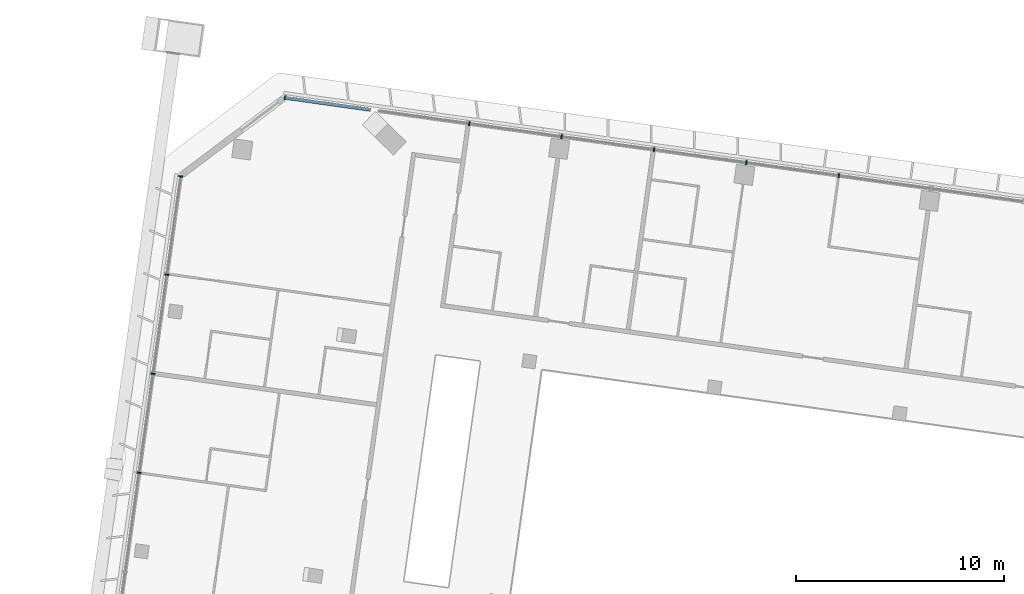
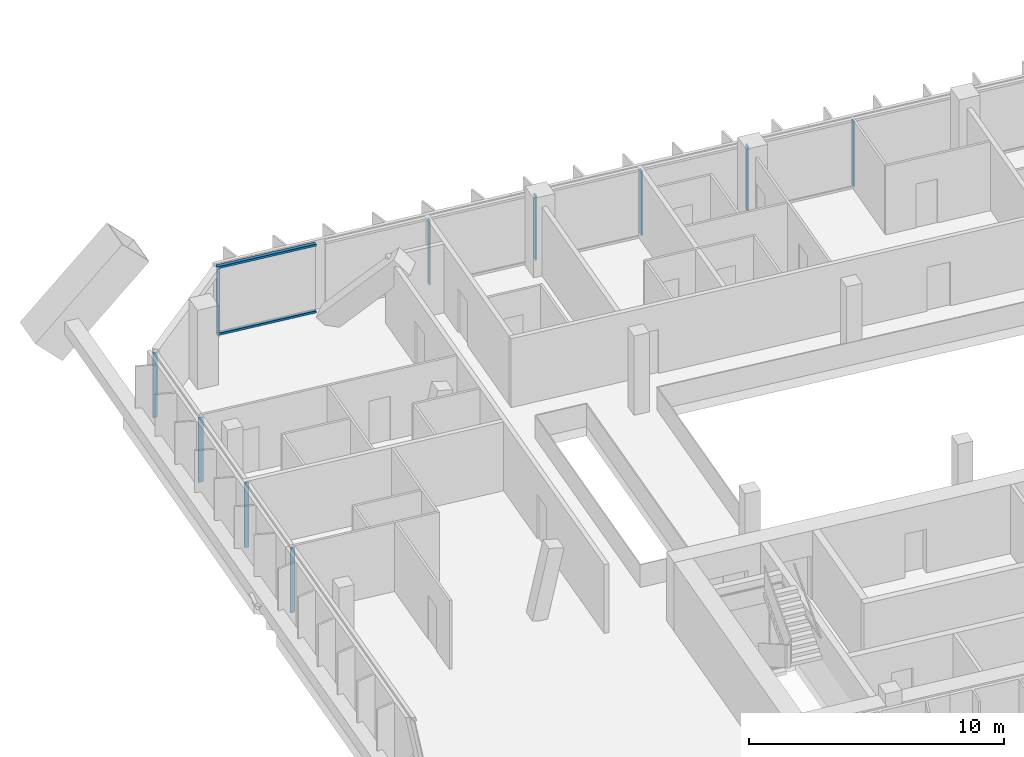
# One storey, part 4 of 34: 12 members, 2 elements without a shape of their own.
"""IFC4 building model written with IfcOpenShell, lengths in metres."""

import ifcopenshell
import ifcopenshell.guid

model = None  # the IFC model being written
_history = None  # IfcOwnerHistory: only IFC2X3 demands one
_inside = {}  # id of a spatial element -> (the spatial element, [elements in it])
_under = {}  # id of a project, library or spatial element -> (it, [spatial elements below it])
_declared = {}  # id of a project -> (the project, [libraries it declares])
_typed = {}  # id of a type object -> (the type object, [elements of that type])
_made_of = {}  # id of a material, layer set ... -> (it, [elements and type objects made of it])


def new_model(schema):
    """Start an empty IFC model of exactly this schema.

    Asked for "IFC4X3", IfcOpenShell would pick the latest addendum, in which some entities
    have other attributes; the version numbers below select the first issue.
    IFC2X3 requires an IfcOwnerHistory on every rooted entity: one is made here for all.
    """
    global model, _history
    if schema == "IFC4X3":
        model = ifcopenshell.file(schema_version=(4, 3, 0, 0))
    else:
        model = ifcopenshell.file(schema=schema)
    _inside.clear()
    _under.clear()
    _declared.clear()
    _typed.clear()
    _made_of.clear()
    _history = None
    if model.schema == "IFC2X3":
        org = make("IfcOrganization", Name="unknown")
        user = make(
            "IfcPersonAndOrganization",
            ThePerson=make("IfcPerson", FamilyName="unknown"),
            TheOrganization=org,
        )
        app = make(
            "IfcApplication",
            ApplicationDeveloper=org,
            Version="unknown",
            ApplicationFullName="unknown",
            ApplicationIdentifier="unknown",
        )
        _history = make(
            "IfcOwnerHistory",
            OwningUser=user,
            OwningApplication=app,
            ChangeAction="ADDED",
            CreationDate=0,
        )
    return model


def make(cls, **values):
    """One entity of the class cls with the attributes given. An attribute that is None is left unset."""
    return model.create_entity(
        cls, **{name: value for name, value in values.items() if value is not None}
    )


def rooted(cls, **values):
    """An entity with a GlobalId (a new one), such as an element, a storey or a relation."""
    return make(cls, GlobalId=ifcopenshell.guid.new(), OwnerHistory=_history, **values)


def si_unit(unit_type, name, prefix=None):
    """IfcSIUnit, for example si_unit("LENGTHUNIT", "METRE", prefix="MILLI")."""
    return make("IfcSIUnit", UnitType=unit_type, Prefix=prefix, Name=name)


def assignment(units):
    """IfcUnitAssignment: the units of a project."""
    return None if units is None else make("IfcUnitAssignment", Units=units)


def point(xyz):
    """IfcCartesianPoint."""
    return None if xyz is None else make("IfcCartesianPoint", Coordinates=xyz)


def direction(xyz):
    """IfcDirection."""
    return None if xyz is None else make("IfcDirection", DirectionRatios=xyz)


def frame(location, z_axis=None, x_axis=None):
    """IfcAxis2Placement3D, a coordinate frame: its origin and axes. An axis left out is left unset."""
    return make(
        "IfcAxis2Placement3D",
        Location=point(location),
        Axis=direction(z_axis),
        RefDirection=direction(x_axis),
    )


def frame_2d(location, x_axis=None):
    """IfcAxis2Placement2D, a coordinate frame in the plane: its origin and x axis."""
    return make(
        "IfcAxis2Placement2D", Location=point(location), RefDirection=direction(x_axis)
    )


def origin():
    """The frame at (0, 0, 0) with its axes left unset."""
    return frame((0.0, 0.0, 0.0))


def origin_2d():
    """The frame at (0, 0) in the plane with its x axis left unset."""
    return frame_2d((0.0, 0.0))


def place(relative_to, where):
    """IfcLocalPlacement: puts the frame where relative to a parent placement (None: the world)."""
    return make(
        "IfcLocalPlacement", PlacementRelTo=relative_to, RelativePlacement=where
    )


def context(
    kind, dimensions, precision=None, world=None, true_north=None, identifier=None
):
    """IfcGeometricRepresentationContext, for example the 3D "Model" context."""
    return make(
        "IfcGeometricRepresentationContext",
        ContextIdentifier=identifier,
        ContextType=kind,
        CoordinateSpaceDimension=dimensions,
        Precision=precision,
        WorldCoordinateSystem=world,
        TrueNorth=true_north,
    )


def subcontext(parent, identifier, kind, view, scale=None):
    """IfcGeometricRepresentationSubContext, for example "Body" below "Model"."""
    return make(
        "IfcGeometricRepresentationSubContext",
        ContextIdentifier=identifier,
        ContextType=kind,
        ParentContext=parent,
        TargetScale=scale,
        TargetView=view,
    )


def project(units=None, contexts=None):
    """IfcProject with its units and contexts."""
    return rooted(
        "IfcProject",
        Name="project",
        RepresentationContexts=contexts,
        UnitsInContext=assignment(units),
    )


def spatial(cls, under=None, at=None, **own):
    """A site, building, storey or space (cls), placed at a placement, below another one or the project."""
    s = rooted(cls, ObjectPlacement=at, **own)
    if under is not None:
        _under.setdefault(under.id(), (under, []))[1].append(s)
    return s


def profile(cls, at=None, kind="AREA", **sizes):
    """A parametric profile (cls). Its sizes go by their IFC names, for example OverallWidth=200.0."""
    return make(cls, ProfileType=kind, Position=at, **sizes)


def rectangle(**sizes):
    """IfcRectangleProfileDef."""
    return profile("IfcRectangleProfileDef", **sizes)


def extrude(swept, where, along, depth):
    """IfcExtrudedAreaSolid: the profile swept, set in the frame where, extruded along a direction by depth."""
    return make(
        "IfcExtrudedAreaSolid",
        SweptArea=swept,
        Position=where,
        ExtrudedDirection=direction(along),
        Depth=depth,
    )


def shape(context_of_items, identifier, shape_type, items):
    """IfcShapeRepresentation: the items that make up one representation, for example the "Body"."""
    return make(
        "IfcShapeRepresentation",
        ContextOfItems=context_of_items,
        RepresentationIdentifier=identifier,
        RepresentationType=shape_type,
        Items=items,
    )


def material(Name=None, Category=None):
    """IfcMaterial."""
    return make("IfcMaterial", Name=Name, Category=Category)


def material_profile(
    of_material, cross_section, Name=None, Category=None, Priority=None
):
    """IfcMaterialProfile: a cross section and its material."""
    return make(
        "IfcMaterialProfile",
        Name=Name,
        Material=of_material,
        Profile=cross_section,
        Priority=Priority,
        Category=Category,
    )


def profile_set(profiles, Name=None, composite=None):
    """IfcMaterialProfileSet."""
    return make(
        "IfcMaterialProfileSet",
        Name=Name,
        MaterialProfiles=profiles,
        CompositeProfile=composite,
    )


def made_of(thing, what):
    """Note that an element or type object is made of a material, layer set ...; save() writes the relation."""
    if what is not None:
        _made_of.setdefault(what.id(), (what, []))[1].append(thing)
    return thing


def type_object(cls, material=None, **own):
    """A type object (cls), such as IfcWallType, which elements share."""
    return made_of(rooted(cls, **own), material)


def element(
    cls,
    number,
    at=None,
    inside=None,
    cuts=None,
    type_object=None,
    material=None,
    context=None,
    identifier="Body",
    shape_type=None,
    held_by="IfcProductDefinitionShape",
    body=None,
    shapes=None,
    **own,
):
    """One element of the class cls, such as IfcWall. Its Tag is "e" and its number.

    at: its placement. inside: the storey or other place that contains it. cuts: it is an
    opening in that element (IfcRelVoidsElement). A single representation is given by context,
    identifier, shape_type and body (its items); several are given by shapes. held_by: the class
    of the entity that holds the representations. save() writes the other relations.
    """
    e = rooted(cls, Tag="e%d" % number, ObjectPlacement=at, **own)
    if body is not None:
        shapes = [shape(context, identifier, shape_type, body)]
    if shapes is not None:
        e.Representation = make(held_by, Representations=shapes)
    if inside is not None:
        _inside.setdefault(inside.id(), (inside, []))[1].append(e)
    if cuts is not None:
        rooted(
            "IfcRelVoidsElement", RelatingBuildingElement=cuts, RelatedOpeningElement=e
        )
    if type_object is not None:
        _typed.setdefault(type_object.id(), (type_object, []))[1].append(e)
    return made_of(e, material)


def aggregate(whole, parts):
    """IfcRelAggregates: a whole, such as a stair, and the parts it consists of."""
    return rooted("IfcRelAggregates", RelatingObject=whole, RelatedObjects=parts)


def save(model, path):
    """Write the relations noted so far, then the file.

    IfcRelAggregates (storeys below a building ...), IfcRelContainedInSpatialStructure (elements
    in a storey), IfcRelDefinesByType, IfcRelAssociatesMaterial and IfcRelDeclares: one each for
    every whole, place, type object, material and project.
    """
    for whole, parts in _under.values():
        aggregate(whole, parts)
    for where, things in _inside.values():
        rooted(
            "IfcRelContainedInSpatialStructure",
            RelatedElements=things,
            RelatingStructure=where,
        )
    for kind, things in _typed.values():
        rooted("IfcRelDefinesByType", RelatedObjects=things, RelatingType=kind)
    for what, things in _made_of.values():
        rooted("IfcRelAssociatesMaterial", RelatedObjects=things, RelatingMaterial=what)
    for by, libraries in _declared.values():
        rooted("IfcRelDeclares", RelatingContext=by, RelatedDefinitions=libraries)
    model.write(path)


model = new_model("IFC4")

# Units and contexts
model_context = context("Model", 3, precision=1e-05, world=origin(), true_north=direction((0.0, 1.0)))
body_context = subcontext(model_context, "Body", "Model", "MODEL_VIEW")
ifc_project = project(units=[si_unit("LENGTHUNIT", "METRE"), si_unit("AREAUNIT", "SQUARE_METRE"), si_unit("VOLUMEUNIT", "CUBIC_METRE"), si_unit("PLANEANGLEUNIT", "RADIAN"), si_unit("MASSUNIT", "GRAM", prefix="KILO")], contexts=[model_context])

# Site, building, storey
site_placement = place(None, origin())
site = spatial("IfcSite", under=ifc_project, at=site_placement, CompositionType="ELEMENT")
building_placement = place(site_placement, origin())
building = spatial("IfcBuilding", under=site, at=building_placement, Name="Mirante Cascada Hotel Towers", CompositionType="ELEMENT")
storey_placement = place(building_placement, frame((0.0, 0.0, 148.1)))
storey = spatial("IfcBuildingStorey", under=building, at=storey_placement, Name="L34", CompositionType="ELEMENT", Elevation=148.1)

# Curtain wall, members
ifc_material_1 = material(Name="Aluminium mullion and transom frame with clear laminated glass", Category="aluminium")
curtain_wall_type_1 = type_object("IfcCurtainWallType", Name="Ribbon curtain wall ECW1", PredefinedType="NOTDEFINED", material=ifc_material_1)
curtain_wall_1_placement = place(storey_placement, origin())
curtain_wall_1 = element("IfcCurtainWall", 1, at=curtain_wall_1_placement, inside=storey, type_object=curtain_wall_type_1, Name="Front ribbon wall T1 L34", PredefinedType="NOTDEFINED")
ifc_material_2 = material(Name="Anodised aluminium extrusion", Category="aluminium")
ifc_material_profile_1 = material_profile(ifc_material_2, rectangle(XDim=0.2, YDim=0.065, at=origin_2d()), Name="ECW1 MULLION 65x200")
ifc_profile_set_1 = profile_set([ifc_material_profile_1], Name="Anodised aluminium extrusion")
member_type_1 = type_object("IfcMemberType", Name="ECW1 mullion 65x200", PredefinedType="MULLION", material=ifc_profile_set_1)
member_1_placement = place(storey_placement, frame((-94.126, 26.0476, 0.1), z_axis=(0.0, 0.0, 1.0), x_axis=(0.1391731, 0.9902681, 0.0)))
member_1 = element("IfcMember", 2, at=member_1_placement, type_object=member_type_1, Name="ECW1 mullion 1", PredefinedType="MULLION", context=body_context, shape_type="SweptSolid", body=[
    extrude(rectangle(XDim=0.2, YDim=0.065, at=origin_2d()), origin(), (0.0, 0.0, 1.0), 3.1),
])
member_2_placement = place(storey_placement, frame((-85.2633, 24.802, 0.1), z_axis=(0.0, 0.0, 1.0), x_axis=(0.1391731, 0.9902681, 0.0)))
member_2 = element("IfcMember", 3, at=member_2_placement, type_object=member_type_1, Name="ECW1 mullion 3", PredefinedType="MULLION", context=body_context, shape_type="SweptSolid", body=[
    extrude(rectangle(XDim=0.2, YDim=0.065, at=origin_2d()), origin(), (0.0, 0.0, 1.0), 3.1),
])
member_3_placement = place(storey_placement, frame((-80.8159, 24.177, 0.1), z_axis=(0.0, 0.0, 1.0), x_axis=(0.1391731, 0.9902681, 0.0)))
member_3 = element("IfcMember", 4, at=member_3_placement, type_object=member_type_1, Name="ECW1 mullion 4", PredefinedType="MULLION", context=body_context, shape_type="SweptSolid", body=[
    extrude(rectangle(XDim=0.2, YDim=0.065, at=origin_2d()), origin(), (0.0, 0.0, 1.0), 3.1),
])
member_4_placement = place(storey_placement, frame((-76.3685, 23.5519, 0.1), z_axis=(0.0, 0.0, 1.0), x_axis=(0.1391731, 0.9902681, 0.0)))
member_4 = element("IfcMember", 5, at=member_4_placement, type_object=member_type_1, Name="ECW1 mullion 5", PredefinedType="MULLION", context=body_context, shape_type="SweptSolid", body=[
    extrude(rectangle(XDim=0.2, YDim=0.065, at=origin_2d()), origin(), (0.0, 0.0, 1.0), 3.1),
])
member_5_placement = place(storey_placement, frame((-71.9211, 22.9269, 0.1), z_axis=(0.0, 0.0, 1.0), x_axis=(0.1391731, 0.9902681, 0.0)))
member_5 = element("IfcMember", 6, at=member_5_placement, type_object=member_type_1, Name="ECW1 mullion 6", PredefinedType="MULLION", context=body_context, shape_type="SweptSolid", body=[
    extrude(rectangle(XDim=0.2, YDim=0.065, at=origin_2d()), origin(), (0.0, 0.0, 1.0), 3.1),
])
member_6_placement = place(storey_placement, frame((-67.4737, 22.3018, 0.1), z_axis=(0.0, 0.0, 1.0), x_axis=(0.1391731, 0.9902681, 0.0)))
member_6 = element("IfcMember", 7, at=member_6_placement, type_object=member_type_1, Name="ECW1 mullion 7", PredefinedType="MULLION", context=body_context, shape_type="SweptSolid", body=[
    extrude(rectangle(XDim=0.2, YDim=0.065, at=origin_2d()), origin(), (0.0, 0.0, 1.0), 3.1),
])
ifc_material_3 = material(Name="Anodised aluminium extrusion", Category="aluminium")
ifc_material_profile_2 = material_profile(ifc_material_3, rectangle(XDim=0.16, YDim=0.1, at=origin_2d()), Name="ECW1 TRANSOM 100x160")
ifc_profile_set_2 = profile_set([ifc_material_profile_2], Name="Anodised aluminium extrusion")
member_type_2 = type_object("IfcMemberType", Name="ECW1 transom 100x160", PredefinedType="USERDEFINED", material=ifc_profile_set_2)
member_7_placement = place(storey_placement, frame((-94.1582, 26.0521, 0.05), z_axis=(0.9902685, -0.1391698, 0.0), x_axis=(0.1391698, 0.9902685, 0.0)))
member_7 = element("IfcMember", 8, at=member_7_placement, type_object=member_type_2, Name="ECW1 sill transom", ObjectType="TRANSOM", PredefinedType="USERDEFINED", context=body_context, shape_type="SweptSolid", body=[
    extrude(rectangle(XDim=0.16, YDim=0.1, at=origin_2d()), origin(), (0.0, 0.0, 1.0), 4.1791),
])
member_8_placement = place(storey_placement, frame((-94.1582, 26.0521, 3.25), z_axis=(0.9902685, -0.1391698, 0.0), x_axis=(0.1391698, 0.9902685, 0.0)))
member_8 = element("IfcMember", 9, at=member_8_placement, type_object=member_type_2, Name="ECW1 head transom", ObjectType="TRANSOM", PredefinedType="USERDEFINED", context=body_context, shape_type="SweptSolid", body=[
    extrude(rectangle(XDim=0.16, YDim=0.1, at=origin_2d()), origin(), (0.0, 0.0, 1.0), 4.1791),
])
aggregate(curtain_wall_1, [member_7, member_8, member_1, member_2, member_3, member_4, member_5, member_6])

ifc_material_4 = material(Name="Aluminium mullion and transom frame with clear laminated glass", Category="aluminium")
curtain_wall_type_2 = type_object("IfcCurtainWallType", Name="End ribbon curtain wall ECW2", PredefinedType="NOTDEFINED", material=ifc_material_4)
curtain_wall_2_placement = place(storey_placement, origin())
curtain_wall_2 = element("IfcCurtainWall", 10, at=curtain_wall_2_placement, inside=storey, type_object=curtain_wall_type_2, Name="Outer end wall T1 L34", PredefinedType="NOTDEFINED")
ifc_material_5 = material(Name="Anodised aluminium extrusion", Category="aluminium")
ifc_material_profile_3 = material_profile(ifc_material_5, rectangle(XDim=0.2, YDim=0.065, at=origin_2d()), Name="ECW2 MULLION 65x200")
ifc_profile_set_3 = profile_set([ifc_material_profile_3], Name="Anodised aluminium extrusion")
member_type_3 = type_object("IfcMemberType", Name="ECW2 mullion 65x200", PredefinedType="MULLION", material=ifc_profile_set_3)
member_9_placement = place(storey_placement, frame((-101.1508, 7.9996, 0.1), z_axis=(0.0, 0.0, 1.0), x_axis=(-0.9902681, 0.1391731, 0.0)))
member_9 = element("IfcMember", 11, at=member_9_placement, type_object=member_type_3, Name="ECW2 mullion 4", PredefinedType="MULLION", context=body_context, shape_type="SweptSolid", body=[
    extrude(rectangle(XDim=0.2, YDim=0.065, at=origin_2d()), origin(), (0.0, 0.0, 1.0), 3.1),
])
member_10_placement = place(storey_placement, frame((-100.481, 12.7654, 0.1), z_axis=(0.0, 0.0, 1.0), x_axis=(-0.9902681, 0.1391731, 0.0)))
member_10 = element("IfcMember", 12, at=member_10_placement, type_object=member_type_3, Name="ECW2 mullion 5", PredefinedType="MULLION", context=body_context, shape_type="SweptSolid", body=[
    extrude(rectangle(XDim=0.2, YDim=0.065, at=origin_2d()), origin(), (0.0, 0.0, 1.0), 3.1),
])
member_11_placement = place(storey_placement, frame((-99.8112, 17.5312, 0.1), z_axis=(0.0, 0.0, 1.0), x_axis=(-0.9902681, 0.1391731, 0.0)))
member_11 = element("IfcMember", 13, at=member_11_placement, type_object=member_type_3, Name="ECW2 mullion 6", PredefinedType="MULLION", context=body_context, shape_type="SweptSolid", body=[
    extrude(rectangle(XDim=0.2, YDim=0.065, at=origin_2d()), origin(), (0.0, 0.0, 1.0), 3.1),
])
member_12_placement = place(storey_placement, frame((-99.1459, 22.2648, 0.1), z_axis=(0.0, 0.0, 1.0), x_axis=(-0.9902681, 0.1391731, 0.0)))
member_12 = element("IfcMember", 14, at=member_12_placement, type_object=member_type_3, Name="ECW2 mullion 7", PredefinedType="MULLION", context=body_context, shape_type="SweptSolid", body=[
    extrude(rectangle(XDim=0.2, YDim=0.065, at=origin_2d()), origin(), (0.0, 0.0, 1.0), 3.1),
])
aggregate(curtain_wall_2, [member_9, member_10, member_11, member_12])

save(model, "model.ifc")
